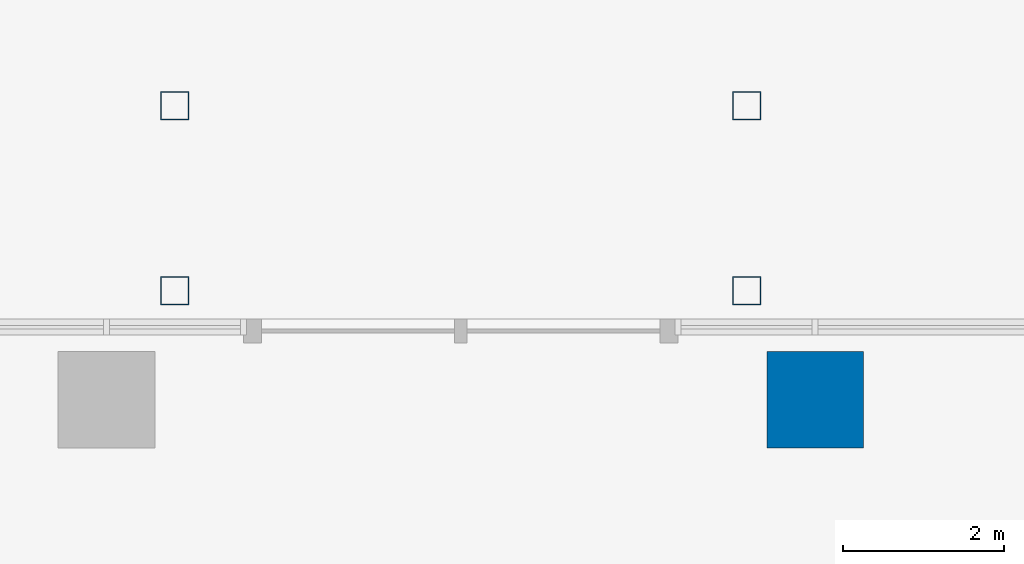
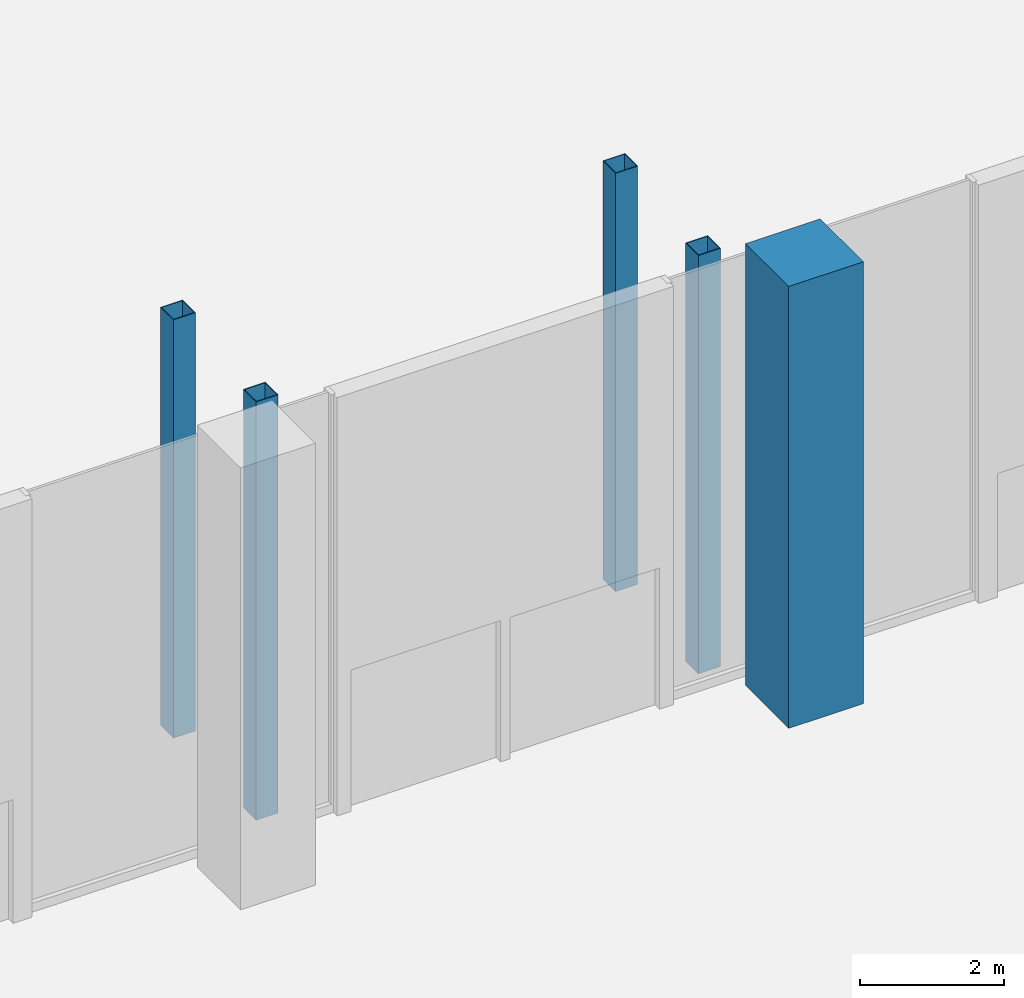
# One storey, part 4 of 41: 5 columns.
"""IFC4 building model written with IfcOpenShell, lengths in metres."""

from ifc_helpers import new_model, si_unit, direction, frame, origin, origin_2d, place, context, subcontext, project, spatial, rectangle, hollow_rectangle, extrude, material, material_profile, profile_set, type_object, element, save


model = new_model("IFC4")

# Units and contexts
model_context = context("Model", 3, precision=1e-05, world=origin(), true_north=direction((0.0, 1.0)))
body_context = subcontext(model_context, "Body", "Model", "MODEL_VIEW")
ifc_project = project(units=[si_unit("LENGTHUNIT", "METRE"), si_unit("AREAUNIT", "SQUARE_METRE"), si_unit("VOLUMEUNIT", "CUBIC_METRE"), si_unit("PLANEANGLEUNIT", "RADIAN"), si_unit("MASSUNIT", "GRAM", prefix="KILO")], contexts=[model_context])

# Site, building, storey
site_placement = place(None, origin())
site = spatial("IfcSite", under=ifc_project, at=site_placement, CompositionType="ELEMENT")
building_placement = place(site_placement, origin())
building = spatial("IfcBuilding", under=site, at=building_placement, Name="Kemantara Hotel Tower", CompositionType="ELEMENT")
storey_placement = place(building_placement, origin())
storey = spatial("IfcBuildingStorey", under=building, at=storey_placement, Name="L00", CompositionType="ELEMENT", Elevation=0.0)

# Columns
ifc_material_1 = material(Name="Steel ASTM A500 Grade C", Category="steel")
ifc_material_profile_1 = material_profile(ifc_material_1, hollow_rectangle(XDim=0.355712890625, YDim=0.355712890625, WallThickness=0.0126953125, at=origin_2d()), Name="HSS355.6X355.6X12.7")
ifc_profile_set_1 = profile_set([ifc_material_profile_1], Name="Steel ASTM A500 Grade C")
column_type_1 = type_object("IfcColumnType", Name="CANOPY POST HSS355.6X355.6X12.7", PredefinedType="COLUMN", material=ifc_profile_set_1)
for number, where, z_axis, x_axis, name in (
    (1, (52.949951171875, 55.14990234375, 0.0), (0.0, 0.0, 1.0), (1.0, 0.0, 0.0), "CANOPY POST HOTEL-1"),
    (2, (45.85009765625, 55.14990234375, 0.0), (0.0, 0.0, 1.0), (1.0, 0.0, 0.0), "CANOPY POST HOTEL-2"),
    (3, (45.85009765625, 57.449951171875, 0.0), (0.0, 0.0, 1.0), (1.0, 0.0, 0.0), "CANOPY POST HOTEL-3"),
    (4, (52.949951171875, 57.449951171875, 0.0), (0.0, 0.0, 1.0), (1.0, 0.0, 0.0), "CANOPY POST HOTEL-4"),
):
    element("IfcColumn", number, at=place(storey_placement, frame(where, z_axis=z_axis, x_axis=x_axis)), inside=storey, type_object=column_type_1, Name=name, PredefinedType="COLUMN", context=body_context, shape_type="SweptSolid", body=[
        extrude(hollow_rectangle(XDim=0.355712890625, YDim=0.355712890625, WallThickness=0.0126953125, at=origin_2d()), origin(), (0.0, 0.0, 1.0), 7.10009765625),
    ])
ifc_material_2 = material(Name="Concrete fc 70 MPa", Category="concrete")
ifc_material_profile_2 = material_profile(ifc_material_2, rectangle(XDim=1.199951171875, YDim=1.199951171875, at=origin_2d()), Name="RC 1200X1200")
ifc_profile_set_2 = profile_set([ifc_material_profile_2], Name="Concrete fc 70 MPa")
column_type_2 = type_object("IfcColumnType", Name="RC COLUMN 1200X1200 FC70", PredefinedType="COLUMN", material=ifc_profile_set_2)
column_placement = place(storey_placement, frame((53.800048828125, 53.800048828125, 0.0), z_axis=(0.0, 0.0, 1.0), x_axis=(1.0, 0.0, 0.0)))
element("IfcColumn", 5, at=column_placement, inside=storey, type_object=column_type_2, Name="COLUMN 7/G L00", PredefinedType="COLUMN", context=body_context, shape_type="SweptSolid", body=[
    extrude(rectangle(XDim=1.199951171875, YDim=1.199951171875, at=origin_2d()), origin(), (0.0, 0.0, 1.0), 7.5),
])

save(model, "model.ifc")
